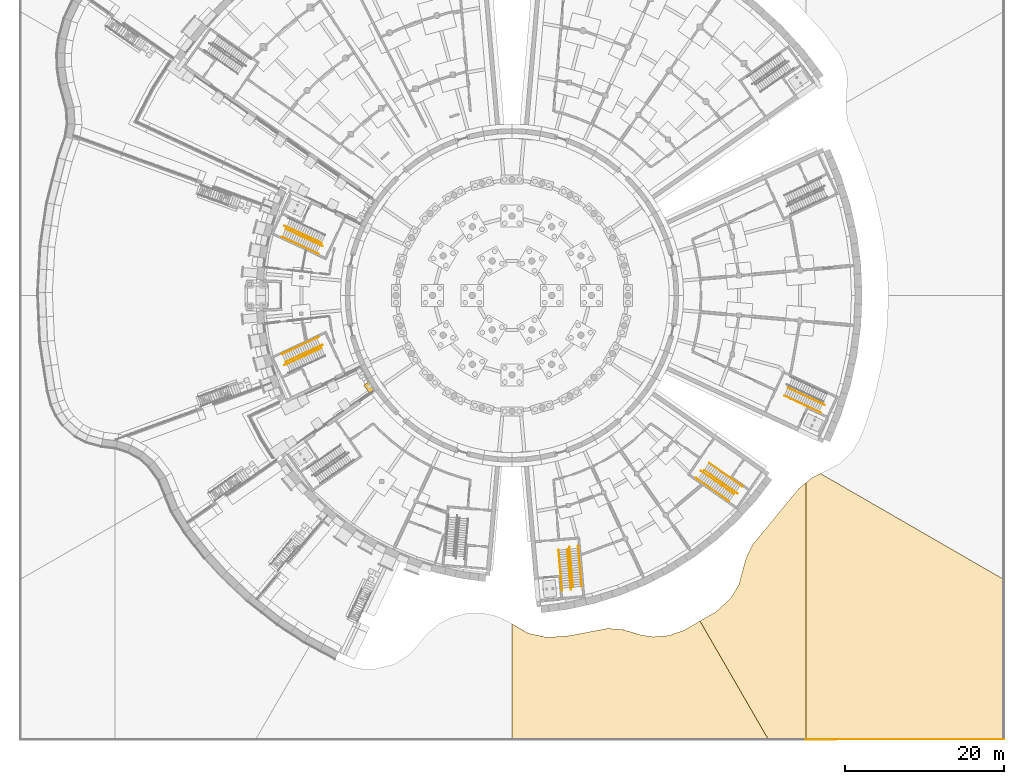
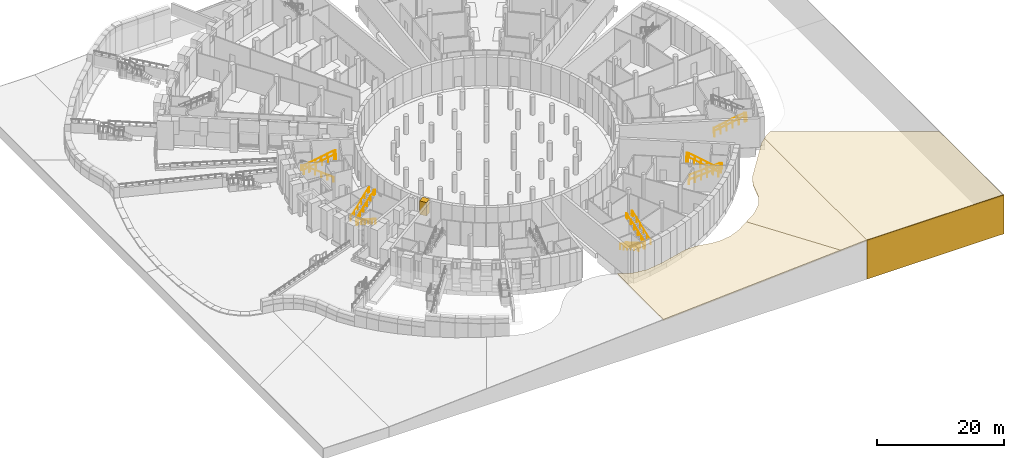
# One storey, part 56 of 65: 16 railings, 5 coverings.
"""IFC4 building model written with IfcOpenShell, lengths in metres."""

from ifc_helpers import new_model, si_unit, direction, frame, origin, origin_2d, place, context, subcontext, project, spatial, polyline, rectangle, circle, outline, extrude, material, layer, layer_set, type_object, element, save


model = new_model("IFC4")

# Units and contexts
model_context = context("Model", 3, precision=1e-05, world=origin(), true_north=direction((0.0, 1.0)))
body_context = subcontext(model_context, "Body", "Model", "MODEL_VIEW")
ifc_project = project(units=[si_unit("LENGTHUNIT", "METRE"), si_unit("AREAUNIT", "SQUARE_METRE"), si_unit("VOLUMEUNIT", "CUBIC_METRE"), si_unit("PLANEANGLEUNIT", "RADIAN"), si_unit("MASSUNIT", "GRAM", prefix="KILO")], contexts=[model_context])

# Site, building, storey
site_placement = place(None, origin())
site = spatial("IfcSite", under=ifc_project, at=site_placement, CompositionType="ELEMENT")
building_placement = place(site_placement, origin())
building = spatial("IfcBuilding", under=site, at=building_placement, Name="Volute Hill Aquarium", CompositionType="ELEMENT")
storey_placement = place(building_placement, frame((0.0, 0.0, -5.5)))
storey = spatial("IfcBuildingStorey", under=building, at=storey_placement, Name="L00", CompositionType="ELEMENT", Elevation=-5.5)

# Covering
ifc_material_1 = material(Name="Precast concrete C40/50", Category="concrete")
covering_type_1 = type_object("IfcCoveringType", Name="End wall precast fin C40/50 1200x1200", PredefinedType="CLADDING", material=ifc_material_1)
covering_1_placement = place(storey_placement, frame((-17.828857421875, -11.4462890625, 2.89990234375), z_axis=(0.0, 0.0, 1.0), x_axis=(-0.81915382895, -0.573573887583, 0.0)))
element("IfcCovering", 1, at=covering_1_placement, inside=storey, type_object=covering_type_1, Name="End wall fin EWF S2A L00 1", PredefinedType="CLADDING", context=body_context, shape_type="SweptSolid", body=[
    extrude(rectangle(XDim=1.199951171875, YDim=1.199951171875, at=origin_2d()), origin(), (0.0, 0.0, 1.0), 2.60009765625),
])

# Railings
ifc_material_2 = material(Name="Stainless steel 1.4301", Category="steel")
railing_type_1 = type_object("IfcRailingType", Name="Guard 1100 stainless", PredefinedType="GUARDRAIL", material=ifc_material_2)
railing_1_placement = place(storey_placement, frame((5.86669921875, -32.060791015625, 0.161865234375)))
element("IfcRailing", 2, at=railing_1_placement, inside=storey, type_object=railing_type_1, Name="gd/S3-A/L00/1", PredefinedType="GUARDRAIL", context=body_context, shape_type="SweptSolid", body=[
    extrude(circle(Radius=0.02392578125, at=origin_2d()), frame((0.0, 0.0, 1.076171875), z_axis=(0.076693034773, -0.876843599554, 0.474619300428), x_axis=(0.996196753508, 0.087132246043, 0.0)), (0.0, 0.0, 1.0), 5.453125),
    extrude(circle(Radius=0.02392578125, at=origin_2d()), frame((0.418212890625, -4.781494140625, 3.6640625), z_axis=(0.08701562718, -0.996206946687, 0.0), x_axis=(0.996206946687, 0.08701562718, 0.0)), (0.0, 0.0, 1.0), 0.30029296875),
    extrude(circle(Radius=0.02099609375, at=origin_2d()), origin(), (0.0, 0.0, 1.0), 1.052001953125),
    extrude(circle(Radius=0.02099609375, at=origin_2d()), frame((0.083740234375, -0.956298828125, 0.517578125)), (0.0, 0.0, 1.0), 1.052001953125),
    extrude(circle(Radius=0.02099609375, at=origin_2d()), frame((0.167236328125, -1.91259765625, 1.03515625)), (0.0, 0.0, 1.0), 1.052001953125),
    extrude(circle(Radius=0.02099609375, at=origin_2d()), frame((0.2509765625, -2.868896484375, 1.552978515625)), (0.0, 0.0, 1.0), 1.052001953125),
    extrude(circle(Radius=0.02099609375, at=origin_2d()), frame((0.33447265625, -3.8251953125, 2.070556640625)), (0.0, 0.0, 1.0), 1.052001953125),
    extrude(circle(Radius=0.02099609375, at=origin_2d()), frame((0.418212890625, -4.781494140625, 2.588134765625)), (0.0, 0.0, 1.0), 1.052001953125),
    extrude(circle(Radius=0.02099609375, at=origin_2d()), frame((0.4443359375, -5.08056640625, 2.588134765625)), (0.0, 0.0, 1.0), 1.052001953125),
])
railing_2_placement = place(storey_placement, frame((24.83203125, -21.111083984375, 0.161865234375)))
element("IfcRailing", 3, at=railing_2_placement, inside=storey, type_object=railing_type_1, Name="gd/S3-B/L00/1", PredefinedType="GUARDRAIL", context=body_context, shape_type="SweptSolid", body=[
    extrude(circle(Radius=0.02392578125, at=origin_2d()), frame((0.0, 0.0, 1.076171875), z_axis=(0.721030775937, -0.504833469696, 0.474613303676), x_axis=(0.57354768431, 0.819172175933, 0.0)), (0.0, 0.0, 1.0), 5.453125),
    extrude(circle(Radius=0.02392578125, at=origin_2d()), frame((3.931884765625, -2.7529296875, 3.6640625), z_axis=(0.819193700616, -0.573516940352, 0.0), x_axis=(0.573516940352, 0.819193700616, 0.0)), (0.0, 0.0, 1.0), 0.300048828125),
    extrude(circle(Radius=0.02099609375, at=origin_2d()), origin(), (0.0, 0.0, 1.0), 1.052001953125),
    extrude(circle(Radius=0.02099609375, at=origin_2d()), frame((0.786376953125, -0.550537109375, 0.517578125)), (0.0, 0.0, 1.0), 1.052001953125),
    extrude(circle(Radius=0.02099609375, at=origin_2d()), frame((1.57275390625, -1.10107421875, 1.03515625)), (0.0, 0.0, 1.0), 1.052001953125),
    extrude(circle(Radius=0.02099609375, at=origin_2d()), frame((2.359130859375, -1.65185546875, 1.552978515625)), (0.0, 0.0, 1.0), 1.052001953125),
    extrude(circle(Radius=0.02099609375, at=origin_2d()), frame((3.1455078125, -2.202392578125, 2.070556640625)), (0.0, 0.0, 1.0), 1.052001953125),
    extrude(circle(Radius=0.02099609375, at=origin_2d()), frame((3.931884765625, -2.7529296875, 2.588134765625)), (0.0, 0.0, 1.0), 1.052001953125),
    extrude(circle(Radius=0.02099609375, at=origin_2d()), frame((4.177734375, -2.925048828125, 2.588134765625)), (0.0, 0.0, 1.0), 1.052001953125),
])
railing_3_placement = place(storey_placement, frame((34.278564453125, -12.619140625, 0.161865234375)))
element("IfcRailing", 4, at=railing_3_placement, inside=storey, type_object=railing_type_1, Name="gd/S4-A/L00/1", PredefinedType="GUARDRAIL", context=body_context, shape_type="SweptSolid", body=[
    extrude(circle(Radius=0.02392578125, at=origin_2d()), frame((0.0, 0.0, 1.076171875), z_axis=(0.797737998729, -0.371985242238, 0.474595685758), x_axis=(0.422612573246, 0.906310439604, 0.0)), (0.0, 0.0, 1.0), 5.453369140625),
    extrude(circle(Radius=0.02392578125, at=origin_2d()), frame((4.350341796875, -2.028564453125, 3.6640625), z_axis=(0.906453195831, -0.422306291415, 0.0), x_axis=(0.422306291415, 0.906453195831, 0.0)), (0.0, 0.0, 1.0), 0.300048828125),
    extrude(circle(Radius=0.02099609375, at=origin_2d()), origin(), (0.0, 0.0, 1.0), 1.052001953125),
    extrude(circle(Radius=0.02099609375, at=origin_2d()), frame((0.8701171875, -0.40576171875, 0.517578125)), (0.0, 0.0, 1.0), 1.052001953125),
    extrude(circle(Radius=0.02099609375, at=origin_2d()), frame((1.740234375, -0.8115234375, 1.03515625)), (0.0, 0.0, 1.0), 1.052001953125),
    extrude(circle(Radius=0.02099609375, at=origin_2d()), frame((2.610107421875, -1.217041015625, 1.552978515625)), (0.0, 0.0, 1.0), 1.052001953125),
    extrude(circle(Radius=0.02099609375, at=origin_2d()), frame((3.480224609375, -1.622802734375, 2.070556640625)), (0.0, 0.0, 1.0), 1.052001953125),
    extrude(circle(Radius=0.02099609375, at=origin_2d()), frame((4.350341796875, -2.028564453125, 2.588134765625)), (0.0, 0.0, 1.0), 1.052001953125),
    extrude(circle(Radius=0.02099609375, at=origin_2d()), frame((4.622314453125, -2.1552734375, 2.588134765625)), (0.0, 0.0, 1.0), 1.052001953125),
])
ifc_material_3 = material(Name="Stainless steel 1.4301", Category="steel")
railing_type_2 = type_object("IfcRailingType", Name="Handrail 48 stainless", PredefinedType="HANDRAIL", material=ifc_material_3)
railing_4_placement = place(storey_placement, frame((-24.003662109375, 6.614013671875, 0.161865234375)))
element("IfcRailing", 5, at=railing_4_placement, inside=storey, type_object=railing_type_2, Name="hr/S1-A/L00/2", PredefinedType="HANDRAIL", context=body_context, shape_type="SweptSolid", body=[
    extrude(circle(Radius=0.02392578125, at=origin_2d()), frame((0.0, 0.0, 0.8759765625), z_axis=(-0.797737998729, 0.371985242238, 0.474595685758), x_axis=(-0.422612573246, -0.906310439604, 0.0)), (0.0, 0.0, 1.0), 5.453369140625),
    extrude(circle(Radius=0.02392578125, at=origin_2d()), frame((-4.350341796875, 2.028564453125, 3.4638671875), z_axis=(-0.906141574394, 0.422974523056, 0.0), x_axis=(-0.422974523056, -0.906141574394, 0.0)), (0.0, 0.0, 1.0), 0.300048828125),
    extrude(circle(Radius=0.02099609375, at=origin_2d()), origin(), (0.0, 0.0, 1.0), 0.851806640625),
    extrude(circle(Radius=0.02099609375, at=origin_2d()), frame((-0.8701171875, 0.40576171875, 0.517578125)), (0.0, 0.0, 1.0), 0.851806640625),
    extrude(circle(Radius=0.02099609375, at=origin_2d()), frame((-1.740234375, 0.8115234375, 1.03515625)), (0.0, 0.0, 1.0), 0.851806640625),
    extrude(circle(Radius=0.02099609375, at=origin_2d()), frame((-2.610107421875, 1.217041015625, 1.552978515625)), (0.0, 0.0, 1.0), 0.851806640625),
    extrude(circle(Radius=0.02099609375, at=origin_2d()), frame((-3.480224609375, 1.622802734375, 2.070556640625)), (0.0, 0.0, 1.0), 0.851806640625),
    extrude(circle(Radius=0.02099609375, at=origin_2d()), frame((-4.350341796875, 2.028564453125, 2.588134765625)), (0.0, 0.0, 1.0), 0.851806640625),
    extrude(circle(Radius=0.02099609375, at=origin_2d()), frame((-4.622314453125, 2.155517578125, 2.588134765625)), (0.0, 0.0, 1.0), 0.851806640625),
])
railing_5_placement = place(storey_placement, frame((-28.480712890625, 8.370849609375, 2.911865234375)))
element("IfcRailing", 6, at=railing_5_placement, inside=storey, type_object=railing_type_2, Name="hr/S1-A/L00/3", PredefinedType="HANDRAIL", context=body_context, shape_type="SweptSolid", body=[
    extrude(circle(Radius=0.02392578125, at=origin_2d()), frame((0.0, 0.0, 0.8759765625), z_axis=(0.797721719235, -0.371998527619, 0.474612635852), x_axis=(0.422632055127, 0.906301354947, 0.0)), (0.0, 0.0, 1.0), 5.453125),
    extrude(circle(Radius=0.02392578125, at=origin_2d()), frame((4.35009765625, -2.028564453125, 3.4638671875), z_axis=(0.906141574394, -0.422974523056, 0.0), x_axis=(0.422974523056, 0.906141574394, 0.0)), (0.0, 0.0, 1.0), 0.300048828125),
    extrude(circle(Radius=0.02099609375, at=origin_2d()), origin(), (0.0, 0.0, 1.0), 0.851806640625),
    extrude(circle(Radius=0.02099609375, at=origin_2d()), frame((0.8701171875, -0.40576171875, 0.517578125)), (0.0, 0.0, 1.0), 0.851806640625),
    extrude(circle(Radius=0.02099609375, at=origin_2d()), frame((1.739990234375, -0.8115234375, 1.03515625)), (0.0, 0.0, 1.0), 0.851806640625),
    extrude(circle(Radius=0.02099609375, at=origin_2d()), frame((2.610107421875, -1.217041015625, 1.552978515625)), (0.0, 0.0, 1.0), 0.851806640625),
    extrude(circle(Radius=0.02099609375, at=origin_2d()), frame((3.47998046875, -1.622802734375, 2.070556640625)), (0.0, 0.0, 1.0), 0.851806640625),
    extrude(circle(Radius=0.02099609375, at=origin_2d()), frame((4.35009765625, -2.028564453125, 2.588134765625)), (0.0, 0.0, 1.0), 0.851806640625),
    extrude(circle(Radius=0.02099609375, at=origin_2d()), frame((4.6220703125, -2.155517578125, 2.588134765625)), (0.0, 0.0, 1.0), 0.851806640625),
])
railing_6_placement = place(storey_placement, frame((-28.94580078125, 7.373779296875, 2.911865234375)))
element("IfcRailing", 7, at=railing_6_placement, inside=storey, type_object=railing_type_2, Name="hr/S1-A/L00/4", PredefinedType="HANDRAIL", context=body_context, shape_type="SweptSolid", body=[
    extrude(circle(Radius=0.02392578125, at=origin_2d()), frame((0.0, 0.0, 0.8759765625), z_axis=(0.797737998729, -0.371985242238, 0.474595685758), x_axis=(0.422612573246, 0.906310439604, 0.0)), (0.0, 0.0, 1.0), 5.453369140625),
    extrude(circle(Radius=0.02392578125, at=origin_2d()), frame((4.350341796875, -2.028564453125, 3.4638671875), z_axis=(0.906453195831, -0.422306291415, 0.0), x_axis=(0.422306291415, 0.906453195831, 0.0)), (0.0, 0.0, 1.0), 0.300048828125),
    extrude(circle(Radius=0.02099609375, at=origin_2d()), origin(), (0.0, 0.0, 1.0), 0.851806640625),
    extrude(circle(Radius=0.02099609375, at=origin_2d()), frame((0.8701171875, -0.40576171875, 0.517578125)), (0.0, 0.0, 1.0), 0.851806640625),
    extrude(circle(Radius=0.02099609375, at=origin_2d()), frame((1.740234375, -0.8115234375, 1.03515625)), (0.0, 0.0, 1.0), 0.851806640625),
    extrude(circle(Radius=0.02099609375, at=origin_2d()), frame((2.610107421875, -1.217041015625, 1.552978515625)), (0.0, 0.0, 1.0), 0.851806640625),
    extrude(circle(Radius=0.02099609375, at=origin_2d()), frame((3.480224609375, -1.622802734375, 2.070556640625)), (0.0, 0.0, 1.0), 0.851806640625),
    extrude(circle(Radius=0.02099609375, at=origin_2d()), frame((4.350341796875, -2.028564453125, 2.588134765625)), (0.0, 0.0, 1.0), 0.851806640625),
    extrude(circle(Radius=0.02099609375, at=origin_2d()), frame((4.622314453125, -2.1552734375, 2.588134765625)), (0.0, 0.0, 1.0), 0.851806640625),
])
railing_7_placement = place(storey_placement, frame((-24.003662109375, -6.614013671875, 0.161865234375)))
element("IfcRailing", 8, at=railing_7_placement, inside=storey, type_object=railing_type_2, Name="hr/S1-B/L00/2", PredefinedType="HANDRAIL", context=body_context, shape_type="SweptSolid", body=[
    extrude(circle(Radius=0.02392578125, at=origin_2d()), frame((0.0, 0.0, 0.8759765625), z_axis=(-0.797737998729, -0.371985242238, 0.474595685758), x_axis=(0.422612573246, -0.906310439604, 0.0)), (0.0, 0.0, 1.0), 5.453369140625),
    extrude(circle(Radius=0.02392578125, at=origin_2d()), frame((-4.350341796875, -2.028564453125, 3.4638671875), z_axis=(-0.906141574394, -0.422974523056, 0.0), x_axis=(0.422974523056, -0.906141574394, 0.0)), (0.0, 0.0, 1.0), 0.300048828125),
    extrude(circle(Radius=0.02099609375, at=origin_2d()), origin(), (0.0, 0.0, 1.0), 0.851806640625),
    extrude(circle(Radius=0.02099609375, at=origin_2d()), frame((-0.8701171875, -0.40576171875, 0.517578125)), (0.0, 0.0, 1.0), 0.851806640625),
    extrude(circle(Radius=0.02099609375, at=origin_2d()), frame((-1.740234375, -0.8115234375, 1.03515625)), (0.0, 0.0, 1.0), 0.851806640625),
    extrude(circle(Radius=0.02099609375, at=origin_2d()), frame((-2.610107421875, -1.217041015625, 1.552978515625)), (0.0, 0.0, 1.0), 0.851806640625),
    extrude(circle(Radius=0.02099609375, at=origin_2d()), frame((-3.480224609375, -1.622802734375, 2.070556640625)), (0.0, 0.0, 1.0), 0.851806640625),
    extrude(circle(Radius=0.02099609375, at=origin_2d()), frame((-4.350341796875, -2.028564453125, 2.588134765625)), (0.0, 0.0, 1.0), 0.851806640625),
    extrude(circle(Radius=0.02099609375, at=origin_2d()), frame((-4.622314453125, -2.155517578125, 2.588134765625)), (0.0, 0.0, 1.0), 0.851806640625),
])
railing_8_placement = place(storey_placement, frame((-28.480712890625, -8.370849609375, 2.911865234375)))
element("IfcRailing", 9, at=railing_8_placement, inside=storey, type_object=railing_type_2, Name="hr/S1-B/L00/3", PredefinedType="HANDRAIL", context=body_context, shape_type="SweptSolid", body=[
    extrude(circle(Radius=0.02392578125, at=origin_2d()), frame((0.0, 0.0, 0.8759765625), z_axis=(0.797721719235, 0.371998527619, 0.474612635852), x_axis=(-0.422632055127, 0.906301354947, 0.0)), (0.0, 0.0, 1.0), 5.453125),
    extrude(circle(Radius=0.02392578125, at=origin_2d()), frame((4.35009765625, 2.028564453125, 3.4638671875), z_axis=(0.906141574394, 0.422974523056, 0.0), x_axis=(-0.422974523056, 0.906141574394, 0.0)), (0.0, 0.0, 1.0), 0.300048828125),
    extrude(circle(Radius=0.02099609375, at=origin_2d()), origin(), (0.0, 0.0, 1.0), 0.851806640625),
    extrude(circle(Radius=0.02099609375, at=origin_2d()), frame((0.8701171875, 0.40576171875, 0.517578125)), (0.0, 0.0, 1.0), 0.851806640625),
    extrude(circle(Radius=0.02099609375, at=origin_2d()), frame((1.739990234375, 0.8115234375, 1.03515625)), (0.0, 0.0, 1.0), 0.851806640625),
    extrude(circle(Radius=0.02099609375, at=origin_2d()), frame((2.610107421875, 1.217041015625, 1.552978515625)), (0.0, 0.0, 1.0), 0.851806640625),
    extrude(circle(Radius=0.02099609375, at=origin_2d()), frame((3.47998046875, 1.622802734375, 2.070556640625)), (0.0, 0.0, 1.0), 0.851806640625),
    extrude(circle(Radius=0.02099609375, at=origin_2d()), frame((4.35009765625, 2.028564453125, 2.588134765625)), (0.0, 0.0, 1.0), 0.851806640625),
    extrude(circle(Radius=0.02099609375, at=origin_2d()), frame((4.6220703125, 2.155517578125, 2.588134765625)), (0.0, 0.0, 1.0), 0.851806640625),
])
railing_9_placement = place(storey_placement, frame((-28.94580078125, -7.373779296875, 2.911865234375)))
element("IfcRailing", 10, at=railing_9_placement, inside=storey, type_object=railing_type_2, Name="hr/S1-B/L00/4", PredefinedType="HANDRAIL", context=body_context, shape_type="SweptSolid", body=[
    extrude(circle(Radius=0.02392578125, at=origin_2d()), frame((0.0, 0.0, 0.8759765625), z_axis=(0.797737998729, 0.371985242238, 0.474595685758), x_axis=(-0.422612573246, 0.906310439604, 0.0)), (0.0, 0.0, 1.0), 5.453369140625),
    extrude(circle(Radius=0.02392578125, at=origin_2d()), frame((4.350341796875, 2.028564453125, 3.4638671875), z_axis=(0.906453195831, 0.422306291415, 0.0), x_axis=(-0.422306291415, 0.906453195831, 0.0)), (0.0, 0.0, 1.0), 0.300048828125),
    extrude(circle(Radius=0.02099609375, at=origin_2d()), origin(), (0.0, 0.0, 1.0), 0.851806640625),
    extrude(circle(Radius=0.02099609375, at=origin_2d()), frame((0.8701171875, 0.40576171875, 0.517578125)), (0.0, 0.0, 1.0), 0.851806640625),
    extrude(circle(Radius=0.02099609375, at=origin_2d()), frame((1.740234375, 0.8115234375, 1.03515625)), (0.0, 0.0, 1.0), 0.851806640625),
    extrude(circle(Radius=0.02099609375, at=origin_2d()), frame((2.610107421875, 1.217041015625, 1.552978515625)), (0.0, 0.0, 1.0), 0.851806640625),
    extrude(circle(Radius=0.02099609375, at=origin_2d()), frame((3.480224609375, 1.622802734375, 2.070556640625)), (0.0, 0.0, 1.0), 0.851806640625),
    extrude(circle(Radius=0.02099609375, at=origin_2d()), frame((4.350341796875, 2.028564453125, 2.588134765625)), (0.0, 0.0, 1.0), 0.851806640625),
    extrude(circle(Radius=0.02099609375, at=origin_2d()), frame((4.622314453125, 2.1552734375, 2.588134765625)), (0.0, 0.0, 1.0), 0.851806640625),
])
railing_10_placement = place(storey_placement, frame((6.96240234375, -31.96484375, 0.161865234375)))
element("IfcRailing", 11, at=railing_10_placement, inside=storey, type_object=railing_type_2, Name="hr/S3-A/L00/2", PredefinedType="HANDRAIL", context=body_context, shape_type="SweptSolid", body=[
    extrude(circle(Radius=0.02392578125, at=origin_2d()), frame((0.0, 0.0, 0.8759765625), z_axis=(0.076734530001, -0.876850936167, 0.474599038819), x_axis=(0.996192723684, 0.087178307383, 0.0)), (0.0, 0.0, 1.0), 5.453369140625),
    extrude(circle(Radius=0.02392578125, at=origin_2d()), frame((0.41845703125, -4.78173828125, 3.4638671875), z_axis=(0.087086179441, -0.996200781645, 0.0), x_axis=(0.996200781645, 0.087086179441, 0.0)), (0.0, 0.0, 1.0), 0.300048828125),
    extrude(circle(Radius=0.02099609375, at=origin_2d()), origin(), (0.0, 0.0, 1.0), 0.851806640625),
    extrude(circle(Radius=0.02099609375, at=origin_2d()), frame((0.083740234375, -0.956298828125, 0.517578125)), (0.0, 0.0, 1.0), 0.851806640625),
    extrude(circle(Radius=0.02099609375, at=origin_2d()), frame((0.16748046875, -1.91259765625, 1.03515625)), (0.0, 0.0, 1.0), 0.851806640625),
    extrude(circle(Radius=0.02099609375, at=origin_2d()), frame((0.2509765625, -2.869140625, 1.552978515625)), (0.0, 0.0, 1.0), 0.851806640625),
    extrude(circle(Radius=0.02099609375, at=origin_2d()), frame((0.334716796875, -3.825439453125, 2.070556640625)), (0.0, 0.0, 1.0), 0.851806640625),
    extrude(circle(Radius=0.02099609375, at=origin_2d()), frame((0.41845703125, -4.78173828125, 2.588134765625)), (0.0, 0.0, 1.0), 0.851806640625),
    extrude(circle(Radius=0.02099609375, at=origin_2d()), frame((0.444580078125, -5.08056640625, 2.588134765625)), (0.0, 0.0, 1.0), 0.851806640625),
])
railing_11_placement = place(storey_placement, frame((7.6796875, -36.720458984375, 2.911865234375)))
element("IfcRailing", 12, at=railing_11_placement, inside=storey, type_object=railing_type_2, Name="hr/S3-A/L00/3", PredefinedType="HANDRAIL", context=body_context, shape_type="SweptSolid", body=[
    extrude(circle(Radius=0.02392578125, at=origin_2d()), frame((0.0, 0.0, 0.8759765625), z_axis=(-0.076734530001, 0.876850936167, 0.474599038819), x_axis=(-0.996192723684, -0.087178307383, 0.0)), (0.0, 0.0, 1.0), 5.453369140625),
    extrude(circle(Radius=0.02392578125, at=origin_2d()), frame((-0.41845703125, 4.78173828125, 3.4638671875), z_axis=(-0.087086179441, 0.996200781645, 0.0), x_axis=(-0.996200781645, -0.087086179441, 0.0)), (0.0, 0.0, 1.0), 0.300048828125),
    extrude(circle(Radius=0.02099609375, at=origin_2d()), origin(), (0.0, 0.0, 1.0), 0.851806640625),
    extrude(circle(Radius=0.02099609375, at=origin_2d()), frame((-0.083740234375, 0.956298828125, 0.517578125)), (0.0, 0.0, 1.0), 0.851806640625),
    extrude(circle(Radius=0.02099609375, at=origin_2d()), frame((-0.16748046875, 1.91259765625, 1.03515625)), (0.0, 0.0, 1.0), 0.851806640625),
    extrude(circle(Radius=0.02099609375, at=origin_2d()), frame((-0.2509765625, 2.869140625, 1.552978515625)), (0.0, 0.0, 1.0), 0.851806640625),
    extrude(circle(Radius=0.02099609375, at=origin_2d()), frame((-0.334716796875, 3.825439453125, 2.070556640625)), (0.0, 0.0, 1.0), 0.851806640625),
    extrude(circle(Radius=0.02099609375, at=origin_2d()), frame((-0.41845703125, 4.78173828125, 2.588134765625)), (0.0, 0.0, 1.0), 0.851806640625),
    extrude(circle(Radius=0.02099609375, at=origin_2d()), frame((-0.444580078125, 5.08056640625, 2.588134765625)), (0.0, 0.0, 1.0), 0.851806640625),
])
railing_12_placement = place(storey_placement, frame((8.775390625, -36.62451171875, 2.911865234375)))
element("IfcRailing", 13, at=railing_12_placement, inside=storey, type_object=railing_type_2, Name="hr/S3-A/L00/4", PredefinedType="HANDRAIL", context=body_context, shape_type="SweptSolid", body=[
    extrude(circle(Radius=0.02392578125, at=origin_2d()), frame((0.0, 0.0, 0.8759765625), z_axis=(-0.07669002411, 0.876853947593, 0.474600668765), x_axis=(-0.996197139649, -0.087127831115, 0.0)), (0.0, 0.0, 1.0), 5.453369140625),
    extrude(circle(Radius=0.02392578125, at=origin_2d()), frame((-0.418212890625, 4.78173828125, 3.4638671875), z_axis=(-0.087893810296, 0.996129850025, 0.0), x_axis=(-0.996129850025, -0.087893810296, 0.0)), (0.0, 0.0, 1.0), 0.300048828125),
    extrude(circle(Radius=0.02099609375, at=origin_2d()), origin(), (0.0, 0.0, 1.0), 0.851806640625),
    extrude(circle(Radius=0.02099609375, at=origin_2d()), frame((-0.083740234375, 0.956298828125, 0.517578125)), (0.0, 0.0, 1.0), 0.851806640625),
    extrude(circle(Radius=0.02099609375, at=origin_2d()), frame((-0.167236328125, 1.91259765625, 1.03515625)), (0.0, 0.0, 1.0), 0.851806640625),
    extrude(circle(Radius=0.02099609375, at=origin_2d()), frame((-0.2509765625, 2.869140625, 1.552978515625)), (0.0, 0.0, 1.0), 0.851806640625),
    extrude(circle(Radius=0.02099609375, at=origin_2d()), frame((-0.33447265625, 3.825439453125, 2.070556640625)), (0.0, 0.0, 1.0), 0.851806640625),
    extrude(circle(Radius=0.02099609375, at=origin_2d()), frame((-0.418212890625, 4.78173828125, 2.588134765625)), (0.0, 0.0, 1.0), 0.851806640625),
    extrude(circle(Radius=0.02099609375, at=origin_2d()), frame((-0.444580078125, 5.08056640625, 2.588134765625)), (0.0, 0.0, 1.0), 0.851806640625),
])
railing_13_placement = place(storey_placement, frame((24.201171875, -22.011962890625, 0.161865234375)))
element("IfcRailing", 14, at=railing_13_placement, inside=storey, type_object=railing_type_2, Name="hr/S3-B/L00/2", PredefinedType="HANDRAIL", context=body_context, shape_type="SweptSolid", body=[
    extrude(circle(Radius=0.02392578125, at=origin_2d()), frame((0.0, 0.0, 0.8759765625), z_axis=(0.721014479241, -0.504866829084, 0.474602576494), x_axis=(0.573581815061, 0.819148278049, 0.0)), (0.0, 0.0, 1.0), 5.453369140625),
    extrude(circle(Radius=0.02392578125, at=origin_2d()), frame((3.931884765625, -2.753173828125, 3.4638671875), z_axis=(0.819193700616, -0.573516940352, 0.0), x_axis=(0.573516940352, 0.819193700616, 0.0)), (0.0, 0.0, 1.0), 0.300048828125),
    extrude(circle(Radius=0.02099609375, at=origin_2d()), origin(), (0.0, 0.0, 1.0), 0.851806640625),
    extrude(circle(Radius=0.02099609375, at=origin_2d()), frame((0.786376953125, -0.550537109375, 0.517578125)), (0.0, 0.0, 1.0), 0.851806640625),
    extrude(circle(Radius=0.02099609375, at=origin_2d()), frame((1.57275390625, -1.101318359375, 1.03515625)), (0.0, 0.0, 1.0), 0.851806640625),
    extrude(circle(Radius=0.02099609375, at=origin_2d()), frame((2.359130859375, -1.65185546875, 1.552978515625)), (0.0, 0.0, 1.0), 0.851806640625),
    extrude(circle(Radius=0.02099609375, at=origin_2d()), frame((3.1455078125, -2.20263671875, 2.070556640625)), (0.0, 0.0, 1.0), 0.851806640625),
    extrude(circle(Radius=0.02099609375, at=origin_2d()), frame((3.931884765625, -2.753173828125, 2.588134765625)), (0.0, 0.0, 1.0), 0.851806640625),
    extrude(circle(Radius=0.02099609375, at=origin_2d()), frame((4.177734375, -2.92529296875, 2.588134765625)), (0.0, 0.0, 1.0), 0.851806640625),
])
railing_14_placement = place(storey_placement, frame((27.9609375, -25.010986328125, 2.911865234375)))
element("IfcRailing", 15, at=railing_14_placement, inside=storey, type_object=railing_type_2, Name="hr/S3-B/L00/3", PredefinedType="HANDRAIL", context=body_context, shape_type="SweptSolid", body=[
    extrude(circle(Radius=0.02392578125, at=origin_2d()), frame((0.0, 0.0, 0.8759765625), z_axis=(-0.721014479241, 0.504866829084, 0.474602576494), x_axis=(-0.573581815061, -0.819148278049, 0.0)), (0.0, 0.0, 1.0), 5.453369140625),
    extrude(circle(Radius=0.02392578125, at=origin_2d()), frame((-3.931884765625, 2.753173828125, 3.4638671875), z_axis=(-0.819193700616, 0.573516940352, 0.0), x_axis=(-0.573516940352, -0.819193700616, 0.0)), (0.0, 0.0, 1.0), 0.300048828125),
    extrude(circle(Radius=0.02099609375, at=origin_2d()), origin(), (0.0, 0.0, 1.0), 0.851806640625),
    extrude(circle(Radius=0.02099609375, at=origin_2d()), frame((-0.786376953125, 0.550537109375, 0.517578125)), (0.0, 0.0, 1.0), 0.851806640625),
    extrude(circle(Radius=0.02099609375, at=origin_2d()), frame((-1.57275390625, 1.101318359375, 1.03515625)), (0.0, 0.0, 1.0), 0.851806640625),
    extrude(circle(Radius=0.02099609375, at=origin_2d()), frame((-2.359130859375, 1.65185546875, 1.552978515625)), (0.0, 0.0, 1.0), 0.851806640625),
    extrude(circle(Radius=0.02099609375, at=origin_2d()), frame((-3.1455078125, 2.20263671875, 2.070556640625)), (0.0, 0.0, 1.0), 0.851806640625),
    extrude(circle(Radius=0.02099609375, at=origin_2d()), frame((-3.931884765625, 2.753173828125, 2.588134765625)), (0.0, 0.0, 1.0), 0.851806640625),
    extrude(circle(Radius=0.02099609375, at=origin_2d()), frame((-4.177734375, 2.92529296875, 2.588134765625)), (0.0, 0.0, 1.0), 0.851806640625),
])
railing_15_placement = place(storey_placement, frame((27.330078125, -25.912109375, 2.911865234375)))
element("IfcRailing", 16, at=railing_15_placement, inside=storey, type_object=railing_type_2, Name="hr/S3-B/L00/4", PredefinedType="HANDRAIL", context=body_context, shape_type="SweptSolid", body=[
    extrude(circle(Radius=0.02392578125, at=origin_2d()), frame((0.0, 0.0, 0.8759765625), z_axis=(-0.720998182206, 0.50490018621, 0.474591849088), x_axis=(-0.573615942825, -0.819124380138, 0.0)), (0.0, 0.0, 1.0), 5.453369140625),
    extrude(circle(Radius=0.02392578125, at=origin_2d()), frame((-3.931884765625, 2.75341796875, 3.4638671875), z_axis=(-0.819575896246, 0.572970636502, 0.0), x_axis=(-0.572970636502, -0.819575896246, 0.0)), (0.0, 0.0, 1.0), 0.300048828125),
    extrude(circle(Radius=0.02099609375, at=origin_2d()), origin(), (0.0, 0.0, 1.0), 0.851806640625),
    extrude(circle(Radius=0.02099609375, at=origin_2d()), frame((-0.786376953125, 0.55078125, 0.517578125)), (0.0, 0.0, 1.0), 0.851806640625),
    extrude(circle(Radius=0.02099609375, at=origin_2d()), frame((-1.57275390625, 1.101318359375, 1.03515625)), (0.0, 0.0, 1.0), 0.851806640625),
    extrude(circle(Radius=0.02099609375, at=origin_2d()), frame((-2.359130859375, 1.652099609375, 1.552978515625)), (0.0, 0.0, 1.0), 0.851806640625),
    extrude(circle(Radius=0.02099609375, at=origin_2d()), frame((-3.1455078125, 2.20263671875, 2.070556640625)), (0.0, 0.0, 1.0), 0.851806640625),
    extrude(circle(Radius=0.02099609375, at=origin_2d()), frame((-3.931884765625, 2.75341796875, 2.588134765625)), (0.0, 0.0, 1.0), 0.851806640625),
    extrude(circle(Radius=0.02099609375, at=origin_2d()), frame((-4.177734375, 2.92529296875, 2.588134765625)), (0.0, 0.0, 1.0), 0.851806640625),
])
railing_16_placement = place(storey_placement, frame((34.743408203125, -11.6220703125, 0.161865234375)))
element("IfcRailing", 17, at=railing_16_placement, inside=storey, type_object=railing_type_2, Name="hr/S4-A/L00/2", PredefinedType="HANDRAIL", context=body_context, shape_type="SweptSolid", body=[
    extrude(circle(Radius=0.02392578125, at=origin_2d()), frame((0.0, 0.0, 0.8759765625), z_axis=(0.797737998729, -0.371985242238, 0.474595685758), x_axis=(0.422612573246, 0.906310439604, 0.0)), (0.0, 0.0, 1.0), 5.453369140625),
    extrude(circle(Radius=0.02392578125, at=origin_2d()), frame((4.350341796875, -2.028564453125, 3.4638671875), z_axis=(0.905995887789, -0.423286488455, 0.0), x_axis=(0.423286488455, 0.905995887789, 0.0)), (0.0, 0.0, 1.0), 0.2998046875),
    extrude(circle(Radius=0.02099609375, at=origin_2d()), origin(), (0.0, 0.0, 1.0), 0.851806640625),
    extrude(circle(Radius=0.02099609375, at=origin_2d()), frame((0.8701171875, -0.40576171875, 0.517578125)), (0.0, 0.0, 1.0), 0.851806640625),
    extrude(circle(Radius=0.02099609375, at=origin_2d()), frame((1.740234375, -0.8115234375, 1.03515625)), (0.0, 0.0, 1.0), 0.851806640625),
    extrude(circle(Radius=0.02099609375, at=origin_2d()), frame((2.610107421875, -1.217041015625, 1.552978515625)), (0.0, 0.0, 1.0), 0.851806640625),
    extrude(circle(Radius=0.02099609375, at=origin_2d()), frame((3.480224609375, -1.622802734375, 2.070556640625)), (0.0, 0.0, 1.0), 0.851806640625),
    extrude(circle(Radius=0.02099609375, at=origin_2d()), frame((4.350341796875, -2.028564453125, 2.588134765625)), (0.0, 0.0, 1.0), 0.851806640625),
    extrude(circle(Radius=0.02099609375, at=origin_2d()), frame((4.6220703125, -2.155517578125, 2.588134765625)), (0.0, 0.0, 1.0), 0.851806640625),
])

# Coverings
ifc_material_4 = material(Name="Planting soil and turf")
ifc_layer_1 = layer(ifc_material_4, 0.300048828125)
ifc_layer_set_1 = layer_set([ifc_layer_1], Name="Planted ground soil and turf build-up 300")
covering_type_2 = type_object("IfcCoveringType", Name="Planted ground soil and turf build-up 300", PredefinedType="CLADDING", material=ifc_layer_set_1)
covering_2_placement = place(storey_placement, frame((4.411865234375, -43.05908203125, 3.439697265625), z_axis=(-0.06309244559, 8.89997e-07, 0.998007686999), x_axis=(-0.973760736664, 0.219089982144, -0.06155978765)))
element("IfcCovering", 18, at=covering_2_placement, inside=storey, type_object=covering_type_2, Name="tn/19/L00/0", PredefinedType="CLADDING", context=body_context, shape_type="SweptSolid", body=[
    extrude(outline(polyline([(0.0, 0.0), (2.4938918394239176, -6.071532165918825e-17), (4.686937052004849, -0.6956054227369121), (1.5108811536269762, 13.44877719082997), (-30.013642108707433, 6.370090846917156), (-18.372040024983264, -6.243467489303886), (-16.62166868739381, -4.633861005405336), (-14.934103323397283, -3.590842633263714), (-13.041309399815573, -3.005183373002121), (-11.55941064617447, -2.8886197483503127), (-9.063744120623948, -3.0561187372110963), (-7.223826494838589, -2.782095926954027), (-2.6845733026898246, -0.8302583555013496), (0.0, 0.0)])), origin(), (0.0, 0.0, -1.0), 0.300048828125),
])
covering_3_placement = place(storey_placement, frame((27.54248046875, -38.123046875, 4.902099609375), z_axis=(-0.063092567888, -2.518411e-06, 0.998007679265), x_axis=(-0.733622316251, -0.677972839866, -0.046380227495)))
element("IfcCovering", 19, at=covering_3_placement, inside=storey, type_object=covering_type_2, Name="tn/110/L00/0", PredefinedType="CLADDING", context=body_context, shape_type="SweptSolid", body=[
    extrude(outline(polyline([(0.0, 0.0), (2.482915995990048, 3.8163916471489756e-17), (4.799878218632298, -0.5234786163190367), (8.554707941892463, 16.225551406547055), (5.052480819982279, 19.45566569210181), (-16.812970869273975, -4.251785863472071), (-15.618223644791183, -4.322457133161115), (-6.569167858100156, -3.0766627456745486), (-4.842552594103997, -2.3963948656834275), (-1.8925757383057649, -0.5567611598862309), (0.0, 0.0)])), origin(), (0.0, 0.0, -1.0), 0.300048828125),
])
covering_4_placement = place(storey_placement, frame((37.0, -55.85009765625, 5.5), z_axis=(0.0, 0.0, 1.0), x_axis=(1.0, 0.0, 0.0)))
element("IfcCovering", 20, at=covering_4_placement, inside=storey, type_object=covering_type_2, Name="tn/210/L00/0", PredefinedType="CLADDING", context=body_context, shape_type="SweptSolid", body=[
    extrude(outline(polyline([(0.0, 0.0), (24.85009765625, 0.0), (24.85009765625, 20.140869140625), (1.83203125, 33.430419921875), (0.782470703125, 32.892578125), (0.0, 32.251220703125), (0.0, 0.0)])), origin(), (0.0, 0.0, -1.0), 0.300048828125),
])
ifc_material_5 = material(Name="Precast concrete C40/50", Category="concrete")
ifc_layer_2 = layer(ifc_material_5, 0.10009765625)
ifc_layer_set_2 = layer_set([ifc_layer_2], Name="Retained ground face precast concrete C40/50 100")
covering_type_3 = type_object("IfcCoveringType", Name="Retained ground face precast concrete C40/50 100", PredefinedType="CLADDING", material=ifc_layer_set_2)
covering_5_placement = place(storey_placement, frame((37.0, -55.949951171875, -2.0), z_axis=(0.0, -1.0, 0.0), x_axis=(1.0, 0.0, 0.0)))
element("IfcCovering", 21, at=covering_5_placement, inside=storey, type_object=covering_type_3, Name="tf/4/L00/0", PredefinedType="CLADDING", context=body_context, shape_type="SweptSolid", body=[
    extrude(outline(polyline([(0.0, 0.0), (24.949951171875, 0.0), (24.949951171875, 7.5), (0.0, 7.5), (0.0, 0.0)])), origin(), (0.0, 0.0, -1.0), 0.10009765625),
])

save(model, "model.ifc")
